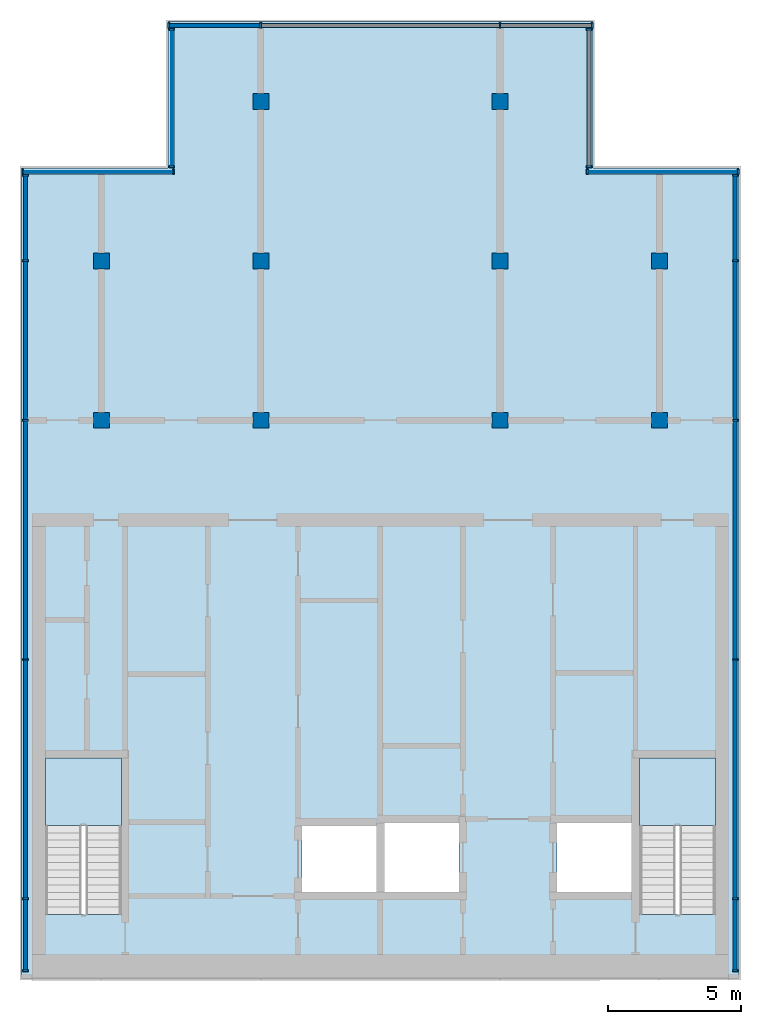
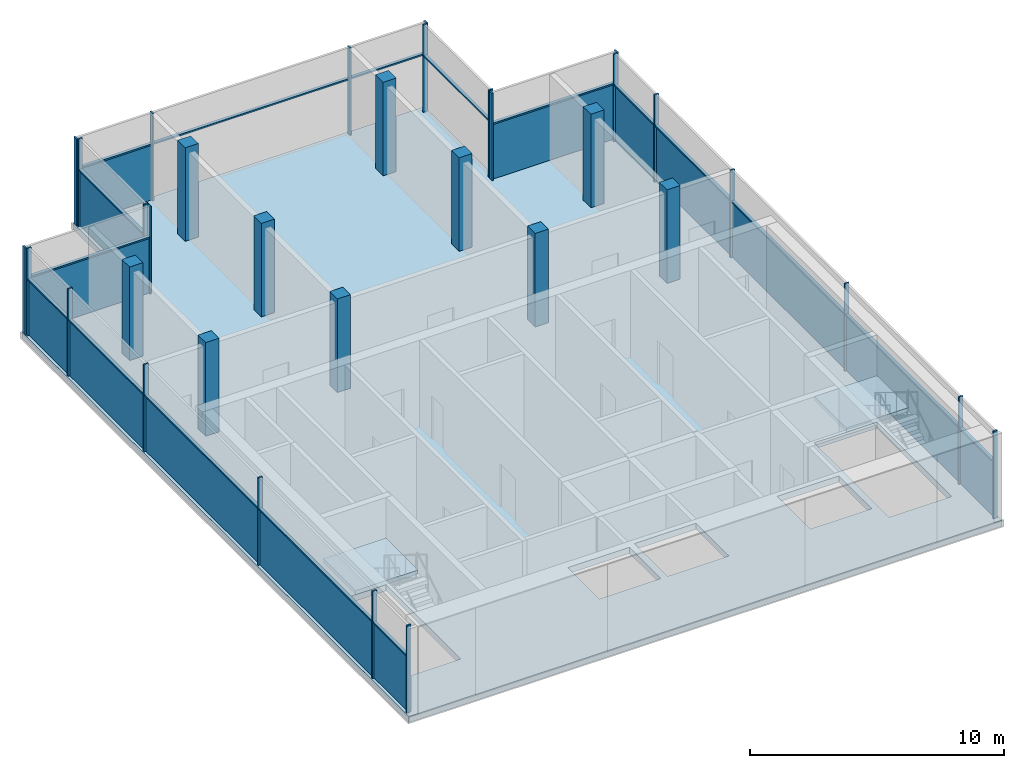
# One storey, part 1 of 5: 41 members, 14 plates, 10 columns, 3 slabs, 9 elements without a shape of their own.
"""IFC4 building model written with IfcOpenShell, lengths in metres."""

from ifc_helpers import new_model, si_unit, direction, frame, origin, origin_2d, place, context, subcontext, project, spatial, polyline, rectangle, outline, extrude, material, layer, layer_set, material_profile, profile_set, type_object, element, aggregate, save


model = new_model("IFC4")

# Units and contexts
model_context = context("Model", 3, precision=1e-05, world=origin(), true_north=direction((0.0, 1.0)))
body_context = subcontext(model_context, "Body", "Model", "MODEL_VIEW")
ifc_project = project(units=[si_unit("LENGTHUNIT", "METRE"), si_unit("AREAUNIT", "SQUARE_METRE"), si_unit("VOLUMEUNIT", "CUBIC_METRE"), si_unit("PLANEANGLEUNIT", "RADIAN"), si_unit("MASSUNIT", "GRAM", prefix="KILO")], contexts=[model_context])

# Site, building, storey
site_placement = place(None, origin())
site = spatial("IfcSite", under=ifc_project, at=site_placement, CompositionType="ELEMENT")
building_placement = place(site_placement, origin())
building = spatial("IfcBuilding", under=site, at=building_placement, Name="Finial Court Residences", CompositionType="ELEMENT")
storey_placement = place(building_placement, frame((0.0, 0.0, 316.699951171875)))
storey = spatial("IfcBuildingStorey", under=building, at=storey_placement, Name="L80", CompositionType="ELEMENT", Elevation=316.699951171875)

# Columns
ifc_material_1 = material(Name="Concrete C40/50", Category="concrete")
ifc_material_profile_1 = material_profile(ifc_material_1, rectangle(XDim=0.60009765625, YDim=0.60009765625, at=origin_2d()), Name="600x600")
ifc_profile_set_1 = profile_set([ifc_material_profile_1], Name="Concrete C40/50")
column_type_1 = type_object("IfcColumnType", Name="Interior column 600x600 Concrete C40/50", PredefinedType="COLUMN", material=ifc_profile_set_1)
for number, where, z_axis, x_axis, name in (
    (1, (-4.5, -4.5, 0.0), (0.0, 0.0, 1.0), (1.0, 0.0, 0.0), "S:COL:L80:E4"),
    (2, (-4.5, 1.5, 0.0), (0.0, 0.0, 1.0), (1.0, 0.0, 0.0), "S:COL:L80:E5"),
    (3, (4.5, -4.5, 0.0), (0.0, 0.0, 1.0), (1.0, 0.0, 0.0), "S:COL:L80:F4"),
    (4, (4.5, 1.5, 0.0), (0.0, 0.0, 1.0), (1.0, 0.0, 0.0), "S:COL:L80:F5"),
):
    element("IfcColumn", number, at=place(storey_placement, frame(where, z_axis=z_axis, x_axis=x_axis)), inside=storey, type_object=column_type_1, Name=name, PredefinedType="COLUMN", context=body_context, shape_type="SweptSolid", body=[
        extrude(rectangle(XDim=0.60009765625, YDim=0.60009765625, at=origin_2d()), origin(), (0.0, 0.0, 1.0), 4.5),
    ])
ifc_material_profile_2 = material_profile(ifc_material_1, rectangle(XDim=0.60009765625, YDim=0.60009765625, at=origin_2d()), Name="600x600")
ifc_profile_set_2 = profile_set([ifc_material_profile_2], Name="Concrete C40/50")
column_type_2 = type_object("IfcColumnType", Name="Perimeter column 600x600 Concrete C40/50", PredefinedType="COLUMN", material=ifc_profile_set_2)
for number, where, z_axis, x_axis, name in (
    (5, (-10.5, -4.5, 0.0), (0.0, 0.0, 1.0), (1.0, 0.0, 0.0), "S:COL:L80:D4"),
    (6, (-10.5, 1.5, 0.0), (0.0, 0.0, 1.0), (1.0, 0.0, 0.0), "S:COL:L80:D5"),
    (7, (-4.5, 7.5, 0.0), (0.0, 0.0, 1.0), (1.0, 0.0, 0.0), "S:COL:L80:E6"),
    (8, (4.5, 7.5, 0.0), (0.0, 0.0, 1.0), (1.0, 0.0, 0.0), "S:COL:L80:F6"),
    (9, (10.5, -4.5, 0.0), (0.0, 0.0, 1.0), (1.0, 0.0, 0.0), "S:COL:L80:G4"),
    (10, (10.5, 1.5, 0.0), (0.0, 0.0, 1.0), (1.0, 0.0, 0.0), "S:COL:L80:G5"),
):
    element("IfcColumn", number, at=place(storey_placement, frame(where, z_axis=z_axis, x_axis=x_axis)), inside=storey, type_object=column_type_2, Name=name, PredefinedType="COLUMN", context=body_context, shape_type="SweptSolid", body=[
        extrude(rectangle(XDim=0.60009765625, YDim=0.60009765625, at=origin_2d()), origin(), (0.0, 0.0, 1.0), 4.5),
    ])

# Curtain wall, members
ifc_material_2 = material(Name="Bronze anodised aluminium", Category="aluminium")
curtain_wall_type = type_object("IfcCurtainWallType", Name="Crown lantern glazing", PredefinedType="NOTDEFINED", material=ifc_material_2)
curtain_wall_1_placement = place(storey_placement, origin())
curtain_wall_1 = element("IfcCurtainWall", 11, at=curtain_wall_1_placement, inside=storey, type_object=curtain_wall_type, Name="E-L80-CW-N3", PredefinedType="NOTDEFINED")
ifc_material_profile_3 = material_profile(ifc_material_2, rectangle(XDim=0.199951171875, YDim=0.070068359375, at=origin_2d()), Name="CW6 mullion 70 x 200")
ifc_profile_set_3 = profile_set([ifc_material_profile_3], Name="Bronze anodised aluminium")
member_type_1 = type_object("IfcMemberType", Name="CW6 mullion 70 x 200", PredefinedType="MULLION", material=ifc_profile_set_3)
member_1_placement = place(storey_placement, frame((-7.965087890625, 10.35009765625, 0.0), z_axis=(0.0, 0.0, 1.0), x_axis=(0.0, 1.0, 0.0)))
member_1 = element("IfcMember", 12, at=member_1_placement, type_object=member_type_1, Name="CW6 mullion 1", PredefinedType="MULLION", context=body_context, shape_type="SweptSolid", body=[
    extrude(rectangle(XDim=0.199951171875, YDim=0.070068359375, at=origin_2d()), origin(), (0.0, 0.0, 1.0), 4.199951171875),
])
member_2_placement = place(storey_placement, frame((-4.5, 10.35009765625, 0.0), z_axis=(0.0, 0.0, 1.0), x_axis=(0.0, 1.0, 0.0)))
member_2 = element("IfcMember", 13, at=member_2_placement, type_object=member_type_1, Name="CW6 mullion 2", PredefinedType="MULLION", context=body_context, shape_type="SweptSolid", body=[
    extrude(rectangle(XDim=0.199951171875, YDim=0.070068359375, at=origin_2d()), origin(), (0.0, 0.0, 1.0), 4.199951171875),
])
member_3_placement = place(storey_placement, frame((4.5, 10.35009765625, 0.0), z_axis=(0.0, 0.0, 1.0), x_axis=(0.0, 1.0, 0.0)))
member_3 = element("IfcMember", 14, at=member_3_placement, type_object=member_type_1, Name="CW6 mullion 3", PredefinedType="MULLION", context=body_context, shape_type="SweptSolid", body=[
    extrude(rectangle(XDim=0.199951171875, YDim=0.070068359375, at=origin_2d()), origin(), (0.0, 0.0, 1.0), 4.199951171875),
])
member_4_placement = place(storey_placement, frame((7.965087890625, 10.35009765625, 0.0), z_axis=(0.0, 0.0, 1.0), x_axis=(0.0, 1.0, 0.0)))
member_4 = element("IfcMember", 15, at=member_4_placement, type_object=member_type_1, Name="CW6 mullion 4", PredefinedType="MULLION", context=body_context, shape_type="SweptSolid", body=[
    extrude(rectangle(XDim=0.199951171875, YDim=0.070068359375, at=origin_2d()), origin(), (0.0, 0.0, 1.0), 4.199951171875),
])

curtain_wall_2_placement = place(storey_placement, origin())
curtain_wall_2 = element("IfcCurtainWall", 16, at=curtain_wall_2_placement, inside=storey, type_object=curtain_wall_type, Name="E-L80-CW-E4", PredefinedType="NOTDEFINED")
member_5_placement = place(storey_placement, frame((13.35009765625, -25.215087890625, 0.0), z_axis=(0.0, 0.0, 1.0), x_axis=(-1.0, 0.0, 0.0)))
member_5 = element("IfcMember", 17, at=member_5_placement, type_object=member_type_1, Name="CW6 mullion 1", PredefinedType="MULLION", context=body_context, shape_type="SweptSolid", body=[
    extrude(rectangle(XDim=0.199951171875, YDim=0.070068359375, at=origin_2d()), origin(), (0.0, 0.0, 1.0), 4.199951171875),
])
member_6_placement = place(storey_placement, frame((13.35009765625, -22.5, 0.0), z_axis=(0.0, 0.0, 1.0), x_axis=(-1.0, 0.0, 0.0)))
member_6 = element("IfcMember", 18, at=member_6_placement, type_object=member_type_1, Name="CW6 mullion 2", PredefinedType="MULLION", context=body_context, shape_type="SweptSolid", body=[
    extrude(rectangle(XDim=0.199951171875, YDim=0.070068359375, at=origin_2d()), origin(), (0.0, 0.0, 1.0), 4.199951171875),
])
member_7_placement = place(storey_placement, frame((13.35009765625, -13.5, 0.0), z_axis=(0.0, 0.0, 1.0), x_axis=(-1.0, 0.0, 0.0)))
member_7 = element("IfcMember", 19, at=member_7_placement, type_object=member_type_1, Name="CW6 mullion 3", PredefinedType="MULLION", context=body_context, shape_type="SweptSolid", body=[
    extrude(rectangle(XDim=0.199951171875, YDim=0.070068359375, at=origin_2d()), origin(), (0.0, 0.0, 1.0), 4.199951171875),
])
member_8_placement = place(storey_placement, frame((13.35009765625, -4.5, 0.0), z_axis=(0.0, 0.0, 1.0), x_axis=(-1.0, 0.0, 0.0)))
member_8 = element("IfcMember", 20, at=member_8_placement, type_object=member_type_1, Name="CW6 mullion 4", PredefinedType="MULLION", context=body_context, shape_type="SweptSolid", body=[
    extrude(rectangle(XDim=0.199951171875, YDim=0.070068359375, at=origin_2d()), origin(), (0.0, 0.0, 1.0), 4.199951171875),
])
member_9_placement = place(storey_placement, frame((13.35009765625, 1.5, 0.0), z_axis=(0.0, 0.0, 1.0), x_axis=(-1.0, 0.0, 0.0)))
member_9 = element("IfcMember", 21, at=member_9_placement, type_object=member_type_1, Name="CW6 mullion 5", PredefinedType="MULLION", context=body_context, shape_type="SweptSolid", body=[
    extrude(rectangle(XDim=0.199951171875, YDim=0.070068359375, at=origin_2d()), origin(), (0.0, 0.0, 1.0), 4.199951171875),
])
member_10_placement = place(storey_placement, frame((13.35009765625, 4.715087890625, 0.0), z_axis=(0.0, 0.0, 1.0), x_axis=(-1.0, 0.0, 0.0)))
member_10 = element("IfcMember", 22, at=member_10_placement, type_object=member_type_1, Name="CW6 mullion 6", PredefinedType="MULLION", context=body_context, shape_type="SweptSolid", body=[
    extrude(rectangle(XDim=0.199951171875, YDim=0.070068359375, at=origin_2d()), origin(), (0.0, 0.0, 1.0), 4.199951171875),
])

curtain_wall_3_placement = place(storey_placement, origin())
curtain_wall_3 = element("IfcCurtainWall", 23, at=curtain_wall_3_placement, inside=storey, type_object=curtain_wall_type, Name="E-L80-CW-W5", PredefinedType="NOTDEFINED")
member_11_placement = place(storey_placement, frame((-13.35009765625, -25.215087890625, 0.0), z_axis=(0.0, 0.0, 1.0), x_axis=(-1.0, 0.0, 0.0)))
member_11 = element("IfcMember", 24, at=member_11_placement, type_object=member_type_1, Name="CW6 mullion 1", PredefinedType="MULLION", context=body_context, shape_type="SweptSolid", body=[
    extrude(rectangle(XDim=0.199951171875, YDim=0.070068359375, at=origin_2d()), origin(), (0.0, 0.0, 1.0), 4.199951171875),
])
member_12_placement = place(storey_placement, frame((-13.35009765625, -22.5, 0.0), z_axis=(0.0, 0.0, 1.0), x_axis=(-1.0, 0.0, 0.0)))
member_12 = element("IfcMember", 25, at=member_12_placement, type_object=member_type_1, Name="CW6 mullion 2", PredefinedType="MULLION", context=body_context, shape_type="SweptSolid", body=[
    extrude(rectangle(XDim=0.199951171875, YDim=0.070068359375, at=origin_2d()), origin(), (0.0, 0.0, 1.0), 4.199951171875),
])
member_13_placement = place(storey_placement, frame((-13.35009765625, -13.5, 0.0), z_axis=(0.0, 0.0, 1.0), x_axis=(-1.0, 0.0, 0.0)))
member_13 = element("IfcMember", 26, at=member_13_placement, type_object=member_type_1, Name="CW6 mullion 3", PredefinedType="MULLION", context=body_context, shape_type="SweptSolid", body=[
    extrude(rectangle(XDim=0.199951171875, YDim=0.070068359375, at=origin_2d()), origin(), (0.0, 0.0, 1.0), 4.199951171875),
])
member_14_placement = place(storey_placement, frame((-13.35009765625, -4.5, 0.0), z_axis=(0.0, 0.0, 1.0), x_axis=(-1.0, 0.0, 0.0)))
member_14 = element("IfcMember", 27, at=member_14_placement, type_object=member_type_1, Name="CW6 mullion 4", PredefinedType="MULLION", context=body_context, shape_type="SweptSolid", body=[
    extrude(rectangle(XDim=0.199951171875, YDim=0.070068359375, at=origin_2d()), origin(), (0.0, 0.0, 1.0), 4.199951171875),
])
member_15_placement = place(storey_placement, frame((-13.35009765625, 1.5, 0.0), z_axis=(0.0, 0.0, 1.0), x_axis=(-1.0, 0.0, 0.0)))
member_15 = element("IfcMember", 28, at=member_15_placement, type_object=member_type_1, Name="CW6 mullion 5", PredefinedType="MULLION", context=body_context, shape_type="SweptSolid", body=[
    extrude(rectangle(XDim=0.199951171875, YDim=0.070068359375, at=origin_2d()), origin(), (0.0, 0.0, 1.0), 4.199951171875),
])
member_16_placement = place(storey_placement, frame((-13.35009765625, 4.715087890625, 0.0), z_axis=(0.0, 0.0, 1.0), x_axis=(-1.0, 0.0, 0.0)))
member_16 = element("IfcMember", 29, at=member_16_placement, type_object=member_type_1, Name="CW6 mullion 6", PredefinedType="MULLION", context=body_context, shape_type="SweptSolid", body=[
    extrude(rectangle(XDim=0.199951171875, YDim=0.070068359375, at=origin_2d()), origin(), (0.0, 0.0, 1.0), 4.199951171875),
])

curtain_wall_4_placement = place(storey_placement, origin())
curtain_wall_4 = element("IfcCurtainWall", 30, at=curtain_wall_4_placement, inside=storey, type_object=curtain_wall_type, Name="E-L80-CW-W6n", PredefinedType="NOTDEFINED")
member_17_placement = place(storey_placement, frame((-7.85009765625, 5.034912109375, 0.0), z_axis=(0.0, 0.0, 1.0), x_axis=(-1.0, 0.0, 0.0)))
member_17 = element("IfcMember", 31, at=member_17_placement, type_object=member_type_1, Name="CW6 mullion 1", PredefinedType="MULLION", context=body_context, shape_type="SweptSolid", body=[
    extrude(rectangle(XDim=0.199951171875, YDim=0.070068359375, at=origin_2d()), origin(), (0.0, 0.0, 1.0), 4.199951171875),
])
member_18_placement = place(storey_placement, frame((-7.85009765625, 10.215087890625, 0.0), z_axis=(0.0, 0.0, 1.0), x_axis=(-1.0, 0.0, 0.0)))
member_18 = element("IfcMember", 32, at=member_18_placement, type_object=member_type_1, Name="CW6 mullion 2", PredefinedType="MULLION", context=body_context, shape_type="SweptSolid", body=[
    extrude(rectangle(XDim=0.199951171875, YDim=0.070068359375, at=origin_2d()), origin(), (0.0, 0.0, 1.0), 4.199951171875),
])

curtain_wall_5_placement = place(storey_placement, origin())
curtain_wall_5 = element("IfcCurtainWall", 33, at=curtain_wall_5_placement, inside=storey, type_object=curtain_wall_type, Name="E-L80-CW-N7n", PredefinedType="NOTDEFINED")
member_19_placement = place(storey_placement, frame((-13.465087890625, 4.85009765625, 0.0), z_axis=(0.0, 0.0, 1.0), x_axis=(0.0, 1.0, 0.0)))
member_19 = element("IfcMember", 34, at=member_19_placement, type_object=member_type_1, Name="CW6 mullion 1", PredefinedType="MULLION", context=body_context, shape_type="SweptSolid", body=[
    extrude(rectangle(XDim=0.199951171875, YDim=0.070068359375, at=origin_2d()), origin(), (0.0, 0.0, 1.0), 4.199951171875),
])
member_20_placement = place(storey_placement, frame((-7.784912109375, 4.85009765625, 0.0), z_axis=(0.0, 0.0, 1.0), x_axis=(0.0, 1.0, 0.0)))
member_20 = element("IfcMember", 35, at=member_20_placement, type_object=member_type_1, Name="CW6 mullion 2", PredefinedType="MULLION", context=body_context, shape_type="SweptSolid", body=[
    extrude(rectangle(XDim=0.199951171875, YDim=0.070068359375, at=origin_2d()), origin(), (0.0, 0.0, 1.0), 4.199951171875),
])

curtain_wall_6_placement = place(storey_placement, origin())
curtain_wall_6 = element("IfcCurtainWall", 36, at=curtain_wall_6_placement, inside=storey, type_object=curtain_wall_type, Name="E-L80-CW-E8n", PredefinedType="NOTDEFINED")
member_21_placement = place(storey_placement, frame((7.85009765625, 5.034912109375, 0.0), z_axis=(0.0, 0.0, 1.0), x_axis=(-1.0, 0.0, 0.0)))
member_21 = element("IfcMember", 37, at=member_21_placement, type_object=member_type_1, Name="CW6 mullion 1", PredefinedType="MULLION", context=body_context, shape_type="SweptSolid", body=[
    extrude(rectangle(XDim=0.199951171875, YDim=0.070068359375, at=origin_2d()), origin(), (0.0, 0.0, 1.0), 4.199951171875),
])
member_22_placement = place(storey_placement, frame((7.85009765625, 10.215087890625, 0.0), z_axis=(0.0, 0.0, 1.0), x_axis=(-1.0, 0.0, 0.0)))
member_22 = element("IfcMember", 38, at=member_22_placement, type_object=member_type_1, Name="CW6 mullion 2", PredefinedType="MULLION", context=body_context, shape_type="SweptSolid", body=[
    extrude(rectangle(XDim=0.199951171875, YDim=0.070068359375, at=origin_2d()), origin(), (0.0, 0.0, 1.0), 4.199951171875),
])

curtain_wall_7_placement = place(storey_placement, origin())
curtain_wall_7 = element("IfcCurtainWall", 39, at=curtain_wall_7_placement, inside=storey, type_object=curtain_wall_type, Name="E-L80-CW-N9n", PredefinedType="NOTDEFINED")
member_23_placement = place(storey_placement, frame((7.784912109375, 4.85009765625, 0.0), z_axis=(0.0, 0.0, 1.0), x_axis=(0.0, 1.0, 0.0)))
member_23 = element("IfcMember", 40, at=member_23_placement, type_object=member_type_1, Name="CW6 mullion 1", PredefinedType="MULLION", context=body_context, shape_type="SweptSolid", body=[
    extrude(rectangle(XDim=0.199951171875, YDim=0.070068359375, at=origin_2d()), origin(), (0.0, 0.0, 1.0), 4.199951171875),
])
member_24_placement = place(storey_placement, frame((13.465087890625, 4.85009765625, 0.0), z_axis=(0.0, 0.0, 1.0), x_axis=(0.0, 1.0, 0.0)))
member_24 = element("IfcMember", 41, at=member_24_placement, type_object=member_type_1, Name="CW6 mullion 2", PredefinedType="MULLION", context=body_context, shape_type="SweptSolid", body=[
    extrude(rectangle(XDim=0.199951171875, YDim=0.070068359375, at=origin_2d()), origin(), (0.0, 0.0, 1.0), 4.199951171875),
])

# Member
ifc_material_profile_4 = material_profile(ifc_material_2, rectangle(XDim=0.14990234375, YDim=0.070068359375, at=origin_2d()), Name="CW6 transom 70 x 150")
ifc_profile_set_4 = profile_set([ifc_material_profile_4], Name="Bronze anodised aluminium")
member_type_2 = type_object("IfcMemberType", Name="CW6 transom 70 x 150", PredefinedType="USERDEFINED", material=ifc_profile_set_4)
member_25_placement = place(storey_placement, frame((-7.929931640625, 10.35009765625, 2.699951171875), z_axis=(1.0, 0.0, 0.0), x_axis=(0.0, 1.0, 0.0)))
member_25 = element("IfcMember", 42, at=member_25_placement, type_object=member_type_2, Name="CW6 transom 1.1", ObjectType="TRANSOM", PredefinedType="USERDEFINED", context=body_context, shape_type="SweptSolid", body=[
    extrude(rectangle(XDim=0.14990234375, YDim=0.070068359375, at=origin_2d()), origin(), (0.0, 0.0, 1.0), 3.39501953125),
])

member_26_placement = place(storey_placement, frame((-4.465087890625, 10.35009765625, 2.699951171875), z_axis=(1.0, 0.0, 0.0), x_axis=(0.0, 1.0, 0.0)))
member_26 = element("IfcMember", 43, at=member_26_placement, type_object=member_type_2, Name="CW6 transom 2.1", ObjectType="TRANSOM", PredefinedType="USERDEFINED", context=body_context, shape_type="SweptSolid", body=[
    extrude(rectangle(XDim=0.14990234375, YDim=0.070068359375, at=origin_2d()), origin(), (0.0, 0.0, 1.0), 8.93017578125),
])

member_27_placement = place(storey_placement, frame((4.534912109375, 10.35009765625, 2.699951171875), z_axis=(1.0, 0.0, 0.0), x_axis=(0.0, 1.0, 0.0)))
member_27 = element("IfcMember", 44, at=member_27_placement, type_object=member_type_2, Name="CW6 transom 3.1", ObjectType="TRANSOM", PredefinedType="USERDEFINED", context=body_context, shape_type="SweptSolid", body=[
    extrude(rectangle(XDim=0.14990234375, YDim=0.070068359375, at=origin_2d()), origin(), (0.0, 0.0, 1.0), 3.39501953125),
])

member_28_placement = place(storey_placement, frame((13.35009765625, -25.179931640625, 2.699951171875), z_axis=(0.0, 1.0, 0.0), x_axis=(-1.0, 0.0, 0.0)))
member_28 = element("IfcMember", 45, at=member_28_placement, type_object=member_type_2, Name="CW6 transom 1.1", ObjectType="TRANSOM", PredefinedType="USERDEFINED", context=body_context, shape_type="SweptSolid", body=[
    extrude(rectangle(XDim=0.14990234375, YDim=0.070068359375, at=origin_2d()), origin(), (0.0, 0.0, 1.0), 2.64501953125),
])

member_29_placement = place(storey_placement, frame((13.35009765625, -22.465087890625, 2.699951171875), z_axis=(0.0, 1.0, 0.0), x_axis=(-1.0, 0.0, 0.0)))
member_29 = element("IfcMember", 46, at=member_29_placement, type_object=member_type_2, Name="CW6 transom 2.1", ObjectType="TRANSOM", PredefinedType="USERDEFINED", context=body_context, shape_type="SweptSolid", body=[
    extrude(rectangle(XDim=0.14990234375, YDim=0.070068359375, at=origin_2d()), origin(), (0.0, 0.0, 1.0), 8.93017578125),
])

member_30_placement = place(storey_placement, frame((13.35009765625, -13.465087890625, 2.699951171875), z_axis=(0.0, 1.0, 0.0), x_axis=(-1.0, 0.0, 0.0)))
member_30 = element("IfcMember", 47, at=member_30_placement, type_object=member_type_2, Name="CW6 transom 3.1", ObjectType="TRANSOM", PredefinedType="USERDEFINED", context=body_context, shape_type="SweptSolid", body=[
    extrude(rectangle(XDim=0.14990234375, YDim=0.070068359375, at=origin_2d()), origin(), (0.0, 0.0, 1.0), 8.93017578125),
])

member_31_placement = place(storey_placement, frame((13.35009765625, -4.465087890625, 2.699951171875), z_axis=(0.0, 1.0, 0.0), x_axis=(-1.0, 0.0, 0.0)))
member_31 = element("IfcMember", 48, at=member_31_placement, type_object=member_type_2, Name="CW6 transom 4.1", ObjectType="TRANSOM", PredefinedType="USERDEFINED", context=body_context, shape_type="SweptSolid", body=[
    extrude(rectangle(XDim=0.14990234375, YDim=0.070068359375, at=origin_2d()), origin(), (0.0, 0.0, 1.0), 5.93017578125),
])

member_32_placement = place(storey_placement, frame((13.35009765625, 1.534912109375, 2.699951171875), z_axis=(0.0, 1.0, 0.0), x_axis=(-1.0, 0.0, 0.0)))
member_32 = element("IfcMember", 49, at=member_32_placement, type_object=member_type_2, Name="CW6 transom 5.1", ObjectType="TRANSOM", PredefinedType="USERDEFINED", context=body_context, shape_type="SweptSolid", body=[
    extrude(rectangle(XDim=0.14990234375, YDim=0.070068359375, at=origin_2d()), origin(), (0.0, 0.0, 1.0), 3.14501953125),
])

member_33_placement = place(storey_placement, frame((-13.35009765625, -25.179931640625, 2.699951171875), z_axis=(0.0, 1.0, 0.0), x_axis=(-1.0, 0.0, 0.0)))
member_33 = element("IfcMember", 50, at=member_33_placement, type_object=member_type_2, Name="CW6 transom 1.1", ObjectType="TRANSOM", PredefinedType="USERDEFINED", context=body_context, shape_type="SweptSolid", body=[
    extrude(rectangle(XDim=0.14990234375, YDim=0.070068359375, at=origin_2d()), origin(), (0.0, 0.0, 1.0), 2.64501953125),
])

member_34_placement = place(storey_placement, frame((-13.35009765625, -22.465087890625, 2.699951171875), z_axis=(0.0, 1.0, 0.0), x_axis=(-1.0, 0.0, 0.0)))
member_34 = element("IfcMember", 51, at=member_34_placement, type_object=member_type_2, Name="CW6 transom 2.1", ObjectType="TRANSOM", PredefinedType="USERDEFINED", context=body_context, shape_type="SweptSolid", body=[
    extrude(rectangle(XDim=0.14990234375, YDim=0.070068359375, at=origin_2d()), origin(), (0.0, 0.0, 1.0), 8.93017578125),
])

member_35_placement = place(storey_placement, frame((-13.35009765625, -13.465087890625, 2.699951171875), z_axis=(0.0, 1.0, 0.0), x_axis=(-1.0, 0.0, 0.0)))
member_35 = element("IfcMember", 52, at=member_35_placement, type_object=member_type_2, Name="CW6 transom 3.1", ObjectType="TRANSOM", PredefinedType="USERDEFINED", context=body_context, shape_type="SweptSolid", body=[
    extrude(rectangle(XDim=0.14990234375, YDim=0.070068359375, at=origin_2d()), origin(), (0.0, 0.0, 1.0), 8.93017578125),
])

member_36_placement = place(storey_placement, frame((-13.35009765625, -4.465087890625, 2.699951171875), z_axis=(0.0, 1.0, 0.0), x_axis=(-1.0, 0.0, 0.0)))
member_36 = element("IfcMember", 53, at=member_36_placement, type_object=member_type_2, Name="CW6 transom 4.1", ObjectType="TRANSOM", PredefinedType="USERDEFINED", context=body_context, shape_type="SweptSolid", body=[
    extrude(rectangle(XDim=0.14990234375, YDim=0.070068359375, at=origin_2d()), origin(), (0.0, 0.0, 1.0), 5.93017578125),
])

member_37_placement = place(storey_placement, frame((-13.35009765625, 1.534912109375, 2.699951171875), z_axis=(0.0, 1.0, 0.0), x_axis=(-1.0, 0.0, 0.0)))
member_37 = element("IfcMember", 54, at=member_37_placement, type_object=member_type_2, Name="CW6 transom 5.1", ObjectType="TRANSOM", PredefinedType="USERDEFINED", context=body_context, shape_type="SweptSolid", body=[
    extrude(rectangle(XDim=0.14990234375, YDim=0.070068359375, at=origin_2d()), origin(), (0.0, 0.0, 1.0), 3.14501953125),
])

member_38_placement = place(storey_placement, frame((-7.85009765625, 5.070068359375, 2.699951171875), z_axis=(0.0, 1.0, 0.0), x_axis=(-1.0, 0.0, 0.0)))
member_38 = element("IfcMember", 55, at=member_38_placement, type_object=member_type_2, Name="CW6 transom 1.1", ObjectType="TRANSOM", PredefinedType="USERDEFINED", context=body_context, shape_type="SweptSolid", body=[
    extrude(rectangle(XDim=0.14990234375, YDim=0.070068359375, at=origin_2d()), origin(), (0.0, 0.0, 1.0), 5.10986328125),
])

member_39_placement = place(storey_placement, frame((-13.429931640625, 4.85009765625, 2.699951171875), z_axis=(1.0, 0.0, 0.0), x_axis=(0.0, 1.0, 0.0)))
member_39 = element("IfcMember", 56, at=member_39_placement, type_object=member_type_2, Name="CW6 transom 1.1", ObjectType="TRANSOM", PredefinedType="USERDEFINED", context=body_context, shape_type="SweptSolid", body=[
    extrude(rectangle(XDim=0.14990234375, YDim=0.070068359375, at=origin_2d()), origin(), (0.0, 0.0, 1.0), 5.60986328125),
])

member_40_placement = place(storey_placement, frame((7.85009765625, 5.070068359375, 2.699951171875), z_axis=(0.0, 1.0, 0.0), x_axis=(-1.0, 0.0, 0.0)))
member_40 = element("IfcMember", 57, at=member_40_placement, type_object=member_type_2, Name="CW6 transom 1.1", ObjectType="TRANSOM", PredefinedType="USERDEFINED", context=body_context, shape_type="SweptSolid", body=[
    extrude(rectangle(XDim=0.14990234375, YDim=0.070068359375, at=origin_2d()), origin(), (0.0, 0.0, 1.0), 5.10986328125),
])

aggregate(curtain_wall_6, [member_21, member_22, member_40])

member_41_placement = place(storey_placement, frame((7.820068359375, 4.85009765625, 2.699951171875), z_axis=(1.0, 0.0, 0.0), x_axis=(0.0, 1.0, 0.0)))
member_41 = element("IfcMember", 58, at=member_41_placement, type_object=member_type_2, Name="CW6 transom 1.1", ObjectType="TRANSOM", PredefinedType="USERDEFINED", context=body_context, shape_type="SweptSolid", body=[
    extrude(rectangle(XDim=0.14990234375, YDim=0.070068359375, at=origin_2d()), origin(), (0.0, 0.0, 1.0), 5.60986328125),
])

# Plate
ifc_material_3 = material(Name="Clear low-e glass", Category="glass")
ifc_layer_1 = layer(ifc_material_3, 0.031982421875)
ifc_layer_set_1 = layer_set([ifc_layer_1], Name="CW6 vision glass 32")
plate_type = type_object("IfcPlateType", Name="CW6 vision glass 32", PredefinedType="CURTAIN_PANEL", material=ifc_layer_set_1)
plate_1_placement = place(storey_placement, frame((-6.232421875, 10.35009765625, 0.0), z_axis=(0.0, 0.0, 1.0), x_axis=(1.0, 0.0, 0.0)))
plate_1 = element("IfcPlate", 59, at=plate_1_placement, type_object=plate_type, Name="CW6 glass 1.1", PredefinedType="CURTAIN_PANEL", context=body_context, shape_type="SweptSolid", body=[
    extrude(rectangle(XDim=3.39501953125, YDim=0.031982421875, at=origin_2d()), origin(), (0.0, 0.0, 1.0), 2.6650390625),
])

aggregate(curtain_wall_1, [member_1, member_2, member_3, member_4, member_25, plate_1, member_26, member_27])

plate_2_placement = place(storey_placement, frame((13.35009765625, -23.857421875, 0.0), z_axis=(0.0, 0.0, 1.0), x_axis=(0.0, 1.0, 0.0)))
plate_2 = element("IfcPlate", 60, at=plate_2_placement, type_object=plate_type, Name="CW6 glass 1.1", PredefinedType="CURTAIN_PANEL", context=body_context, shape_type="SweptSolid", body=[
    extrude(rectangle(XDim=2.64501953125, YDim=0.031982421875, at=origin_2d()), origin(), (0.0, 0.0, 1.0), 2.6650390625),
])

plate_3_placement = place(storey_placement, frame((13.35009765625, -18.0, 0.0), z_axis=(0.0, 0.0, 1.0), x_axis=(0.0, 1.0, 0.0)))
plate_3 = element("IfcPlate", 61, at=plate_3_placement, type_object=plate_type, Name="CW6 glass 2.1", PredefinedType="CURTAIN_PANEL", context=body_context, shape_type="SweptSolid", body=[
    extrude(rectangle(XDim=8.929931640625, YDim=0.031982421875, at=origin_2d()), origin(), (0.0, 0.0, 1.0), 2.6650390625),
])

plate_4_placement = place(storey_placement, frame((13.35009765625, -9.0, 0.0), z_axis=(0.0, 0.0, 1.0), x_axis=(0.0, 1.0, 0.0)))
plate_4 = element("IfcPlate", 62, at=plate_4_placement, type_object=plate_type, Name="CW6 glass 3.1", PredefinedType="CURTAIN_PANEL", context=body_context, shape_type="SweptSolid", body=[
    extrude(rectangle(XDim=8.929931640625, YDim=0.031982421875, at=origin_2d()), origin(), (0.0, 0.0, 1.0), 2.6650390625),
])

plate_5_placement = place(storey_placement, frame((13.35009765625, -1.5, 0.0), z_axis=(0.0, 0.0, 1.0), x_axis=(0.0, 1.0, 0.0)))
plate_5 = element("IfcPlate", 63, at=plate_5_placement, type_object=plate_type, Name="CW6 glass 4.1", PredefinedType="CURTAIN_PANEL", context=body_context, shape_type="SweptSolid", body=[
    extrude(rectangle(XDim=5.929931640625, YDim=0.031982421875, at=origin_2d()), origin(), (0.0, 0.0, 1.0), 2.6650390625),
])

plate_6_placement = place(storey_placement, frame((13.35009765625, 3.107421875, 0.0), z_axis=(0.0, 0.0, 1.0), x_axis=(0.0, 1.0, 0.0)))
plate_6 = element("IfcPlate", 64, at=plate_6_placement, type_object=plate_type, Name="CW6 glass 5.1", PredefinedType="CURTAIN_PANEL", context=body_context, shape_type="SweptSolid", body=[
    extrude(rectangle(XDim=3.14501953125, YDim=0.031982421875, at=origin_2d()), origin(), (0.0, 0.0, 1.0), 2.6650390625),
])

aggregate(curtain_wall_2, [member_5, member_6, member_7, member_8, member_9, member_10, member_28, plate_2, member_29, plate_3, member_30, plate_4, member_31, plate_5, member_32, plate_6])

plate_7_placement = place(storey_placement, frame((-13.35009765625, -23.857421875, 0.0), z_axis=(0.0, 0.0, 1.0), x_axis=(0.0, 1.0, 0.0)))
plate_7 = element("IfcPlate", 65, at=plate_7_placement, type_object=plate_type, Name="CW6 glass 1.1", PredefinedType="CURTAIN_PANEL", context=body_context, shape_type="SweptSolid", body=[
    extrude(rectangle(XDim=2.64501953125, YDim=0.031982421875, at=origin_2d()), origin(), (0.0, 0.0, 1.0), 2.6650390625),
])

plate_8_placement = place(storey_placement, frame((-13.35009765625, -18.0, 0.0), z_axis=(0.0, 0.0, 1.0), x_axis=(0.0, 1.0, 0.0)))
plate_8 = element("IfcPlate", 66, at=plate_8_placement, type_object=plate_type, Name="CW6 glass 2.1", PredefinedType="CURTAIN_PANEL", context=body_context, shape_type="SweptSolid", body=[
    extrude(rectangle(XDim=8.929931640625, YDim=0.031982421875, at=origin_2d()), origin(), (0.0, 0.0, 1.0), 2.6650390625),
])

plate_9_placement = place(storey_placement, frame((-13.35009765625, -9.0, 0.0), z_axis=(0.0, 0.0, 1.0), x_axis=(0.0, 1.0, 0.0)))
plate_9 = element("IfcPlate", 67, at=plate_9_placement, type_object=plate_type, Name="CW6 glass 3.1", PredefinedType="CURTAIN_PANEL", context=body_context, shape_type="SweptSolid", body=[
    extrude(rectangle(XDim=8.929931640625, YDim=0.031982421875, at=origin_2d()), origin(), (0.0, 0.0, 1.0), 2.6650390625),
])

plate_10_placement = place(storey_placement, frame((-13.35009765625, -1.5, 0.0), z_axis=(0.0, 0.0, 1.0), x_axis=(0.0, 1.0, 0.0)))
plate_10 = element("IfcPlate", 68, at=plate_10_placement, type_object=plate_type, Name="CW6 glass 4.1", PredefinedType="CURTAIN_PANEL", context=body_context, shape_type="SweptSolid", body=[
    extrude(rectangle(XDim=5.929931640625, YDim=0.031982421875, at=origin_2d()), origin(), (0.0, 0.0, 1.0), 2.6650390625),
])

plate_11_placement = place(storey_placement, frame((-13.35009765625, 3.107421875, 0.0), z_axis=(0.0, 0.0, 1.0), x_axis=(0.0, 1.0, 0.0)))
plate_11 = element("IfcPlate", 69, at=plate_11_placement, type_object=plate_type, Name="CW6 glass 5.1", PredefinedType="CURTAIN_PANEL", context=body_context, shape_type="SweptSolid", body=[
    extrude(rectangle(XDim=3.14501953125, YDim=0.031982421875, at=origin_2d()), origin(), (0.0, 0.0, 1.0), 2.6650390625),
])

aggregate(curtain_wall_3, [member_11, member_12, member_13, member_14, member_15, member_16, member_33, plate_7, member_34, plate_8, member_35, plate_9, member_36, plate_10, member_37, plate_11])

plate_12_placement = place(storey_placement, frame((-7.85009765625, 7.625, 0.0), z_axis=(0.0, 0.0, 1.0), x_axis=(0.0, 1.0, 0.0)))
plate_12 = element("IfcPlate", 70, at=plate_12_placement, type_object=plate_type, Name="CW6 glass 1.1", PredefinedType="CURTAIN_PANEL", context=body_context, shape_type="SweptSolid", body=[
    extrude(rectangle(XDim=5.110107421875, YDim=0.031982421875, at=origin_2d()), origin(), (0.0, 0.0, 1.0), 2.6650390625),
])

aggregate(curtain_wall_4, [member_17, member_18, member_38, plate_12])

plate_13_placement = place(storey_placement, frame((-10.625, 4.85009765625, 0.0), z_axis=(0.0, 0.0, 1.0), x_axis=(1.0, 0.0, 0.0)))
plate_13 = element("IfcPlate", 71, at=plate_13_placement, type_object=plate_type, Name="CW6 glass 1.1", PredefinedType="CURTAIN_PANEL", context=body_context, shape_type="SweptSolid", body=[
    extrude(rectangle(XDim=5.610107421875, YDim=0.031982421875, at=origin_2d()), origin(), (0.0, 0.0, 1.0), 2.6650390625),
])

aggregate(curtain_wall_5, [member_19, member_20, member_39, plate_13])

plate_14_placement = place(storey_placement, frame((10.625, 4.85009765625, 0.0), z_axis=(0.0, 0.0, 1.0), x_axis=(1.0, 0.0, 0.0)))
plate_14 = element("IfcPlate", 72, at=plate_14_placement, type_object=plate_type, Name="CW6 glass 1.1", PredefinedType="CURTAIN_PANEL", context=body_context, shape_type="SweptSolid", body=[
    extrude(rectangle(XDim=5.610107421875, YDim=0.031982421875, at=origin_2d()), origin(), (0.0, 0.0, 1.0), 2.6650390625),
])

aggregate(curtain_wall_7, [member_23, member_24, member_41, plate_14])

# Stair, slab
ifc_material_4 = material(Name="Concrete C50/60", Category="concrete")
stair_type = type_object("IfcStairType", Name="Exit stair 26 risers of 173.1 mm", PredefinedType="HALF_TURN_STAIR", material=ifc_material_4)
stair_1_placement = place(storey_placement, origin())
stair_1 = element("IfcStair", 73, at=stair_1_placement, inside=storey, type_object=stair_type, Name="L80 Exit stair ST-1", PredefinedType="HALF_TURN_STAIR")
ifc_layer_2 = layer(ifc_material_4, 0.199951171875)
ifc_layer_set_2 = layer_set([ifc_layer_2], Name="Exit stair landing")
slab_type_1 = type_object("IfcSlabType", Name="Exit stair landing", PredefinedType="LANDING", material=ifc_layer_set_2)
slab_1_placement = place(storey_placement, frame((0.0, 0.0, 2.050048828125)))
slab_1 = element("IfcSlab", 74, at=slab_1_placement, type_object=slab_type_1, Name="ST-1 landing 1", PredefinedType="LANDING", context=body_context, shape_type="SweptSolid", body=[
    extrude(outline(polyline([(-9.75, -19.739990234375), (-9.75, -17.199951171875), (-12.60009765625, -17.199951171875), (-12.60009765625, -19.739990234375), (-9.75, -19.739990234375)])), origin(), (0.0, 0.0, 1.0), 0.199951171875),
])
aggregate(stair_1, [slab_1])

stair_2_placement = place(storey_placement, origin())
stair_2 = element("IfcStair", 75, at=stair_2_placement, inside=storey, type_object=stair_type, Name="L80 Exit stair ST-2", PredefinedType="HALF_TURN_STAIR")
slab_2_placement = place(storey_placement, frame((0.0, 0.0, 2.050048828125)))
slab_2 = element("IfcSlab", 76, at=slab_2_placement, type_object=slab_type_1, Name="ST-2 landing 1", PredefinedType="LANDING", context=body_context, shape_type="SweptSolid", body=[
    extrude(outline(polyline([(12.60009765625, -19.739990234375), (12.60009765625, -17.199951171875), (9.75, -17.199951171875), (9.75, -19.739990234375), (12.60009765625, -19.739990234375)])), origin(), (0.0, 0.0, 1.0), 0.199951171875),
])
aggregate(stair_2, [slab_2])

# Slab
ifc_layer_3 = layer(ifc_material_1, 0.300048828125)
ifc_layer_set_3 = layer_set([ifc_layer_3], Name="Flat plate slab 300 Concrete C40/50")
slab_type_2 = type_object("IfcSlabType", Name="Flat plate slab 300 Concrete C40/50", PredefinedType="FLOOR", material=ifc_layer_set_3)
slab_3_placement = place(storey_placement, frame((0.0, 0.0, -0.300048828125)))
element("IfcSlab", 77, at=slab_3_placement, inside=storey, type_object=slab_type_2, Name="S:SLAB:L80", PredefinedType="FLOOR", context=body_context, shape_type="SweptSolid", body=[
    extrude(outline(polyline([(-13.5, -25.5), (-13.5, 5.0), (-8.0, 5.0), (-8.0, 10.5), (8.0, 10.5), (8.0, 5.0), (13.5, 5.0), (13.5, -25.5), (-13.5, -25.5)]), holes=[polyline([(-2.949951171875, -19.77001953125), (-2.949951171875, -22.25), (-0.14990234375, -22.25), (-0.14990234375, -19.77001953125), (-2.949951171875, -19.77001953125)]), polyline([(0.14990234375, -19.64990234375), (0.14990234375, -22.25), (2.949951171875, -22.25), (2.949951171875, -19.64990234375), (0.14990234375, -19.64990234375)]), polyline([(6.64990234375, -19.64990234375), (6.64990234375, -22.25), (9.449951171875, -22.25), (9.449951171875, -19.64990234375), (6.64990234375, -19.64990234375)]), polyline([(-12.60009765625, -17.199951171875), (-12.60009765625, -23.09912109375), (-9.75, -23.09912109375), (-9.75, -17.199951171875), (-12.60009765625, -17.199951171875)]), polyline([(9.75, -17.199951171875), (9.75, -23.09912109375), (12.60009765625, -23.09912109375), (12.60009765625, -17.199951171875), (9.75, -17.199951171875)])]), origin(), (0.0, 0.0, 1.0), 0.300048828125),
])

save(model, "model.ifc")
